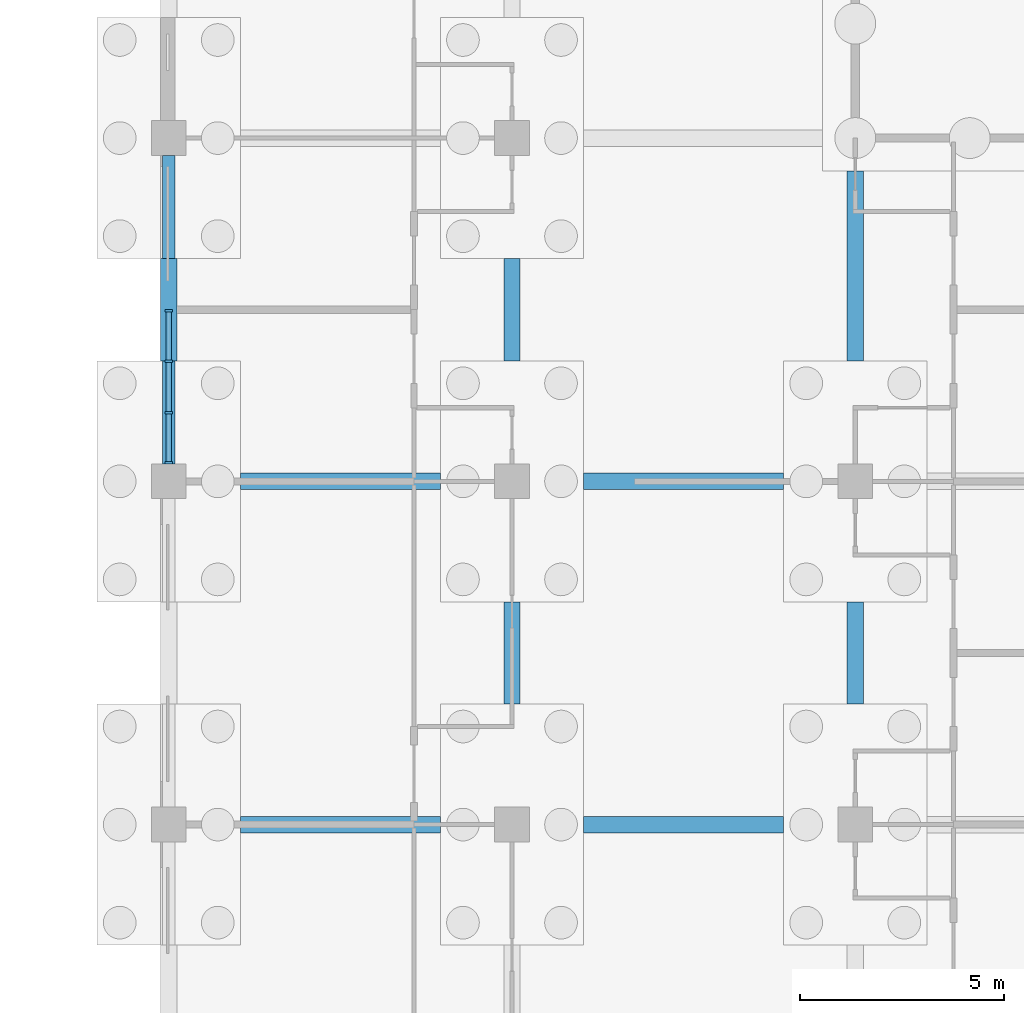
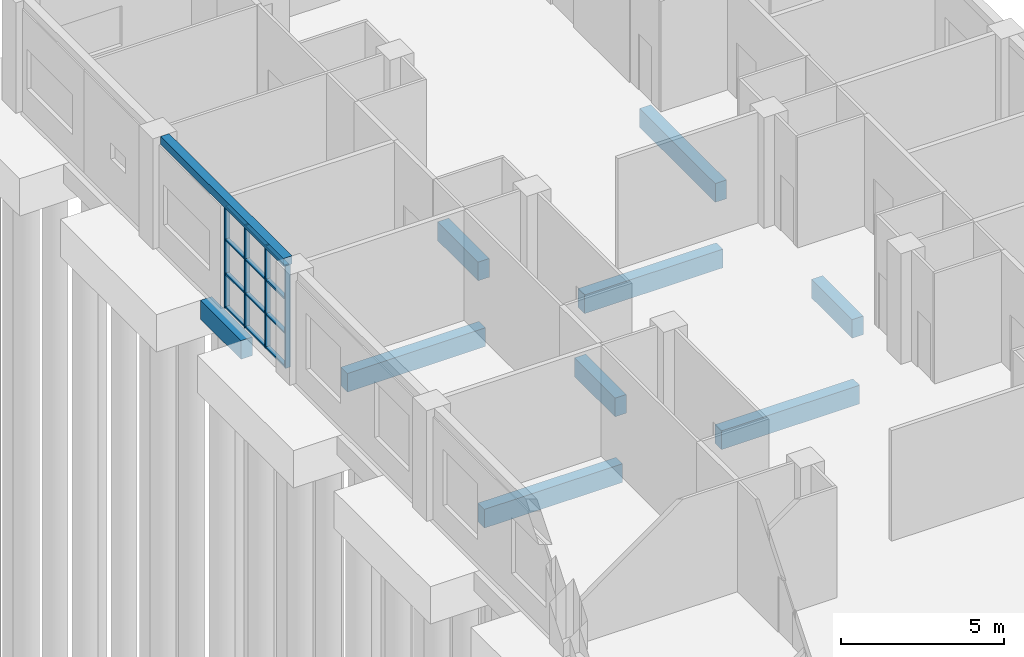
# One storey, part 46 of 138: 16 members, 10 beams, 1 element without a shape of its own.
"""IFC4 building model written with IfcOpenShell, lengths in metres."""

from ifc_helpers import new_model, si_unit, direction, frame, origin, origin_2d, place, context, subcontext, project, spatial, rectangle, extrude, material, material_profile, profile_set, type_object, element, aggregate, save


model = new_model("IFC4")

# Units and contexts
model_context = context("Model", 3, precision=1e-05, world=origin(), true_north=direction((0.0, 1.0)))
body_context = subcontext(model_context, "Body", "Model", "MODEL_VIEW")
ifc_project = project(units=[si_unit("LENGTHUNIT", "METRE"), si_unit("AREAUNIT", "SQUARE_METRE"), si_unit("VOLUMEUNIT", "CUBIC_METRE"), si_unit("PLANEANGLEUNIT", "RADIAN"), si_unit("MASSUNIT", "GRAM", prefix="KILO")], contexts=[model_context])

# Site, building, storey
site_placement = place(None, origin())
site = spatial("IfcSite", under=ifc_project, at=site_placement, CompositionType="ELEMENT")
building_placement = place(site_placement, origin())
building = spatial("IfcBuilding", under=site, at=building_placement, Name="Yavir Park General Hospital", CompositionType="ELEMENT")
storey_placement = place(building_placement, origin())
storey = spatial("IfcBuildingStorey", under=building, at=storey_placement, Name="L00", CompositionType="ELEMENT", Elevation=0.0)

# Beams
ifc_material_1 = material(Name="Concrete C35/45", Category="concrete")
ifc_material_profile_1 = material_profile(ifc_material_1, rectangle(XDim=0.300048828125, YDim=0.300048828125, at=origin_2d()), Name="RC300x300")
ifc_profile_set_1 = profile_set([ifc_material_profile_1], Name="Concrete C35/45")
beam_type_1 = type_object("IfcBeamType", Name="RC BEAM 300x300 edge beam", PredefinedType="BEAM", material=ifc_profile_set_1)
beam_1_placement = place(storey_placement, frame((0.0, 101.22509765625, 3.989990234375), z_axis=(0.0, 1.0, 0.0), x_axis=(-1.0, 0.0, 0.0)))
element("IfcBeam", 1, at=beam_1_placement, inside=storey, type_object=beam_type_1, Name="B:EDGE:L00:033", PredefinedType="BEAM", context=body_context, shape_type="SweptSolid", body=[
    extrude(rectangle(XDim=0.300048828125, YDim=0.300048828125, at=origin_2d()), origin(), (0.0, 0.0, 1.0), 7.5498046875),
])
ifc_material_2 = material(Name="Concrete C35/45", Category="concrete")
ifc_material_profile_2 = material_profile(ifc_material_2, rectangle(XDim=0.39990234375, YDim=0.699951171875, at=origin_2d()), Name="RC400x700")
ifc_profile_set_2 = profile_set([ifc_material_profile_2], Name="Concrete C35/45")
beam_type_2 = type_object("IfcBeamType", Name="RC BEAM 400x700 ground beam", PredefinedType="BEAM", material=ifc_profile_set_2)
for number, where, z_axis, x_axis, name in (
    (2, (1.75, 92.39990234375, -0.800048828125), (1.0, 0.0, 0.0), (0.0, 1.0, 0.0), "B:GND:L00:1M:L00:2M"),
    (3, (1.75, 100.800048828125, -0.800048828125), (1.0, 0.0, 0.0), (0.0, 1.0, 0.0), "B:GND:L00:1N:L00:2N"),
):
    element("IfcBeam", number, at=place(storey_placement, frame(where, z_axis=z_axis, x_axis=x_axis)), inside=storey, type_object=beam_type_2, Name=name, PredefinedType="BEAM", context=body_context, shape_type="SweptSolid", body=[
        extrude(rectangle(XDim=0.39990234375, YDim=0.699951171875, at=origin_2d()), origin(), (0.0, 0.0, 1.0), 4.89990234375),
    ])
for number, where, z_axis, x_axis, name in (
    (4, (10.14990234375, 92.39990234375, -0.800048828125), (1.0, 0.0, 0.0), (0.0, 1.0, 0.0), "B:GND:L00:2M:L00:3M"),
    (5, (10.14990234375, 100.800048828125, -0.800048828125), (1.0, 0.0, 0.0), (0.0, 1.0, 0.0), "B:GND:L00:2N:L00:3N"),
):
    element("IfcBeam", number, at=place(storey_placement, frame(where, z_axis=z_axis, x_axis=x_axis)), inside=storey, type_object=beam_type_2, Name=name, PredefinedType="BEAM", context=body_context, shape_type="SweptSolid", body=[
        extrude(rectangle(XDim=0.39990234375, YDim=0.699951171875, at=origin_2d()), origin(), (0.0, 0.0, 1.0), 4.900146484375),
    ])
for number, where, z_axis, x_axis, name in (
    (6, (0.0, 103.75, -0.800048828125), (0.0, 1.0, 0.0), (-1.0, 0.0, 0.0), "B:GND:L00:1N:L00:1P"),
    (7, (8.39990234375, 95.35009765625, -0.800048828125), (0.0, 1.0, 0.0), (-1.0, 0.0, 0.0), "B:GND:L00:2M:L00:2N"),
    (8, (8.39990234375, 103.75, -0.800048828125), (0.0, 1.0, 0.0), (-1.0, 0.0, 0.0), "B:GND:L00:2N:L00:2P"),
    (9, (16.800048828125, 95.35009765625, -0.800048828125), (0.0, 1.0, 0.0), (-1.0, 0.0, 0.0), "B:GND:L00:3M:L00:3N"),
):
    element("IfcBeam", number, at=place(storey_placement, frame(where, z_axis=z_axis, x_axis=x_axis)), inside=storey, type_object=beam_type_2, Name=name, PredefinedType="BEAM", context=body_context, shape_type="SweptSolid", body=[
        extrude(rectangle(XDim=0.39990234375, YDim=0.699951171875, at=origin_2d()), origin(), (0.0, 0.0, 1.0), 2.5),
    ])
beam_2_placement = place(storey_placement, frame((16.800048828125, 103.75, -0.800048828125), z_axis=(0.0, 1.0, 0.0), x_axis=(-1.0, 0.0, 0.0)))
element("IfcBeam", 10, at=beam_2_placement, inside=storey, type_object=beam_type_2, Name="B:GND:L00:3N:L00:SW3", PredefinedType="BEAM", context=body_context, shape_type="SweptSolid", body=[
    extrude(rectangle(XDim=0.39990234375, YDim=0.699951171875, at=origin_2d()), origin(), (0.0, 0.0, 1.0), 4.64990234375),
])

# Curtain wall, members
ifc_material_3 = material(Name="Aluminium curtain wall frame with insulated glazing", Category="aluminium")
curtain_wall_type = type_object("IfcCurtainWallType", Name="Reception glazing, 3840 high, 1400 module", PredefinedType="NOTDEFINED", material=ifc_material_3)
curtain_wall_placement = place(storey_placement, origin())
curtain_wall = element("IfcCurtainWall", 11, at=curtain_wall_placement, inside=storey, type_object=curtain_wall_type, Name="CW8 L00-041", PredefinedType="NOTDEFINED")
ifc_material_4 = material(Name="Aluminium", Category="aluminium")
ifc_material_profile_3 = material_profile(ifc_material_4, rectangle(XDim=0.179931640625, YDim=0.06005859375, at=origin_2d()), Name="AL 60x180")
ifc_profile_set_3 = profile_set([ifc_material_profile_3], Name="Aluminium")
member_type_1 = type_object("IfcMemberType", Name="Reception glazing, 3840 high mullion 60 x 180", PredefinedType="MULLION", material=ifc_profile_set_3)
member_1_placement = place(storey_placement, frame((0.0, 101.2548828125, 0.0), z_axis=(0.0, 0.0, 1.0), x_axis=(-1.0, 0.0, 0.0)))
member_1 = element("IfcMember", 12, at=member_1_placement, type_object=member_type_1, Name="CW8 mullion 1", PredefinedType="MULLION", context=body_context, shape_type="SweptSolid", body=[
    extrude(rectangle(XDim=0.179931640625, YDim=0.06005859375, at=origin_2d()), origin(), (0.0, 0.0, 1.0), 3.840087890625),
])
member_2_placement = place(storey_placement, frame((0.0, 102.4833984375, 0.0), z_axis=(0.0, 0.0, 1.0), x_axis=(-1.0, 0.0, 0.0)))
member_2 = element("IfcMember", 13, at=member_2_placement, type_object=member_type_1, Name="CW8 mullion 2", PredefinedType="MULLION", context=body_context, shape_type="SweptSolid", body=[
    extrude(rectangle(XDim=0.179931640625, YDim=0.06005859375, at=origin_2d()), origin(), (0.0, 0.0, 1.0), 3.840087890625),
])
member_3_placement = place(storey_placement, frame((0.0, 103.74169921875, 0.0), z_axis=(0.0, 0.0, 1.0), x_axis=(-1.0, 0.0, 0.0)))
member_3 = element("IfcMember", 14, at=member_3_placement, type_object=member_type_1, Name="CW8 mullion 3", PredefinedType="MULLION", context=body_context, shape_type="SweptSolid", body=[
    extrude(rectangle(XDim=0.179931640625, YDim=0.06005859375, at=origin_2d()), origin(), (0.0, 0.0, 1.0), 3.840087890625),
])
member_4_placement = place(storey_placement, frame((0.0, 104.969970703125, 0.0), z_axis=(0.0, 0.0, 1.0), x_axis=(-1.0, 0.0, 0.0)))
member_4 = element("IfcMember", 15, at=member_4_placement, type_object=member_type_1, Name="CW8 mullion 4", PredefinedType="MULLION", context=body_context, shape_type="SweptSolid", body=[
    extrude(rectangle(XDim=0.179931640625, YDim=0.06005859375, at=origin_2d()), origin(), (0.0, 0.0, 1.0), 3.840087890625),
])
ifc_material_5 = material(Name="Aluminium", Category="aluminium")
ifc_material_profile_4 = material_profile(ifc_material_5, rectangle(XDim=0.139892578125, YDim=0.06005859375, at=origin_2d()), Name="AL 140x60")
ifc_profile_set_4 = profile_set([ifc_material_profile_4], Name="Aluminium")
member_type_2 = type_object("IfcMemberType", Name="Reception glazing, 3840 high transom 60 x 140", PredefinedType="MULLION", material=ifc_profile_set_4)
member_5_placement = place(storey_placement, frame((0.0, 101.284912109375, 0.030029296875), z_axis=(0.0, 1.0, 0.0), x_axis=(-1.0, 0.0, 0.0)))
member_5 = element("IfcMember", 16, at=member_5_placement, type_object=member_type_2, Name="CW8 transom 1.1", PredefinedType="MULLION", context=body_context, shape_type="SweptSolid", body=[
    extrude(rectangle(XDim=0.139892578125, YDim=0.06005859375, at=origin_2d()), origin(), (0.0, 0.0, 1.0), 1.16845703125),
])
member_6_placement = place(storey_placement, frame((0.0, 101.284912109375, 1.280029296875), z_axis=(0.0, 1.0, 0.0), x_axis=(-1.0, 0.0, 0.0)))
member_6 = element("IfcMember", 17, at=member_6_placement, type_object=member_type_2, Name="CW8 transom 1.2", PredefinedType="MULLION", context=body_context, shape_type="SweptSolid", body=[
    extrude(rectangle(XDim=0.139892578125, YDim=0.06005859375, at=origin_2d()), origin(), (0.0, 0.0, 1.0), 1.16845703125),
])
member_7_placement = place(storey_placement, frame((0.0, 101.284912109375, 2.56005859375), z_axis=(0.0, 1.0, 0.0), x_axis=(-1.0, 0.0, 0.0)))
member_7 = element("IfcMember", 18, at=member_7_placement, type_object=member_type_2, Name="CW8 transom 1.3", PredefinedType="MULLION", context=body_context, shape_type="SweptSolid", body=[
    extrude(rectangle(XDim=0.139892578125, YDim=0.06005859375, at=origin_2d()), origin(), (0.0, 0.0, 1.0), 1.16845703125),
])
member_8_placement = place(storey_placement, frame((0.0, 101.284912109375, 3.81005859375), z_axis=(0.0, 1.0, 0.0), x_axis=(-1.0, 0.0, 0.0)))
member_8 = element("IfcMember", 19, at=member_8_placement, type_object=member_type_2, Name="CW8 transom 1.4", PredefinedType="MULLION", context=body_context, shape_type="SweptSolid", body=[
    extrude(rectangle(XDim=0.139892578125, YDim=0.06005859375, at=origin_2d()), origin(), (0.0, 0.0, 1.0), 1.16845703125),
])
member_9_placement = place(storey_placement, frame((0.0, 102.513427734375, 0.030029296875), z_axis=(0.0, 1.0, 0.0), x_axis=(-1.0, 0.0, 0.0)))
member_9 = element("IfcMember", 20, at=member_9_placement, type_object=member_type_2, Name="CW8 transom 2.1", PredefinedType="MULLION", context=body_context, shape_type="SweptSolid", body=[
    extrude(rectangle(XDim=0.139892578125, YDim=0.06005859375, at=origin_2d()), origin(), (0.0, 0.0, 1.0), 1.1982421875),
])
member_10_placement = place(storey_placement, frame((0.0, 102.513427734375, 1.280029296875), z_axis=(0.0, 1.0, 0.0), x_axis=(-1.0, 0.0, 0.0)))
member_10 = element("IfcMember", 21, at=member_10_placement, type_object=member_type_2, Name="CW8 transom 2.2", PredefinedType="MULLION", context=body_context, shape_type="SweptSolid", body=[
    extrude(rectangle(XDim=0.139892578125, YDim=0.06005859375, at=origin_2d()), origin(), (0.0, 0.0, 1.0), 1.1982421875),
])
member_11_placement = place(storey_placement, frame((0.0, 102.513427734375, 2.56005859375), z_axis=(0.0, 1.0, 0.0), x_axis=(-1.0, 0.0, 0.0)))
member_11 = element("IfcMember", 22, at=member_11_placement, type_object=member_type_2, Name="CW8 transom 2.3", PredefinedType="MULLION", context=body_context, shape_type="SweptSolid", body=[
    extrude(rectangle(XDim=0.139892578125, YDim=0.06005859375, at=origin_2d()), origin(), (0.0, 0.0, 1.0), 1.1982421875),
])
member_12_placement = place(storey_placement, frame((0.0, 102.513427734375, 3.81005859375), z_axis=(0.0, 1.0, 0.0), x_axis=(-1.0, 0.0, 0.0)))
member_12 = element("IfcMember", 23, at=member_12_placement, type_object=member_type_2, Name="CW8 transom 2.4", PredefinedType="MULLION", context=body_context, shape_type="SweptSolid", body=[
    extrude(rectangle(XDim=0.139892578125, YDim=0.06005859375, at=origin_2d()), origin(), (0.0, 0.0, 1.0), 1.1982421875),
])
member_13_placement = place(storey_placement, frame((0.0, 103.771728515625, 0.030029296875), z_axis=(0.0, 1.0, 0.0), x_axis=(-1.0, 0.0, 0.0)))
member_13 = element("IfcMember", 24, at=member_13_placement, type_object=member_type_2, Name="CW8 transom 3.1", PredefinedType="MULLION", context=body_context, shape_type="SweptSolid", body=[
    extrude(rectangle(XDim=0.139892578125, YDim=0.06005859375, at=origin_2d()), origin(), (0.0, 0.0, 1.0), 1.168212890625),
])
member_14_placement = place(storey_placement, frame((0.0, 103.771728515625, 1.280029296875), z_axis=(0.0, 1.0, 0.0), x_axis=(-1.0, 0.0, 0.0)))
member_14 = element("IfcMember", 25, at=member_14_placement, type_object=member_type_2, Name="CW8 transom 3.2", PredefinedType="MULLION", context=body_context, shape_type="SweptSolid", body=[
    extrude(rectangle(XDim=0.139892578125, YDim=0.06005859375, at=origin_2d()), origin(), (0.0, 0.0, 1.0), 1.168212890625),
])
member_15_placement = place(storey_placement, frame((0.0, 103.771728515625, 2.56005859375), z_axis=(0.0, 1.0, 0.0), x_axis=(-1.0, 0.0, 0.0)))
member_15 = element("IfcMember", 26, at=member_15_placement, type_object=member_type_2, Name="CW8 transom 3.3", PredefinedType="MULLION", context=body_context, shape_type="SweptSolid", body=[
    extrude(rectangle(XDim=0.139892578125, YDim=0.06005859375, at=origin_2d()), origin(), (0.0, 0.0, 1.0), 1.168212890625),
])
member_16_placement = place(storey_placement, frame((0.0, 103.771728515625, 3.81005859375), z_axis=(0.0, 1.0, 0.0), x_axis=(-1.0, 0.0, 0.0)))
member_16 = element("IfcMember", 27, at=member_16_placement, type_object=member_type_2, Name="CW8 transom 3.4", PredefinedType="MULLION", context=body_context, shape_type="SweptSolid", body=[
    extrude(rectangle(XDim=0.139892578125, YDim=0.06005859375, at=origin_2d()), origin(), (0.0, 0.0, 1.0), 1.168212890625),
])
aggregate(curtain_wall, [member_1, member_2, member_3, member_4, member_5, member_6, member_7, member_8, member_9, member_10, member_11, member_12, member_13, member_14, member_15, member_16])

save(model, "model.ifc")
